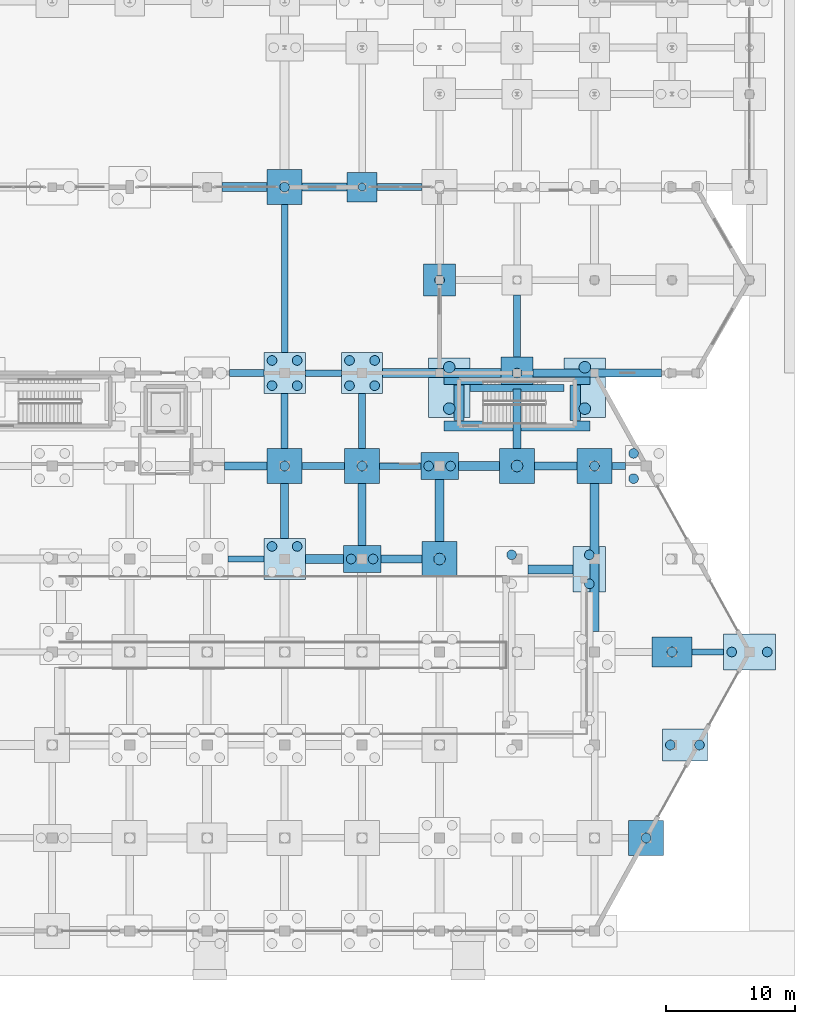
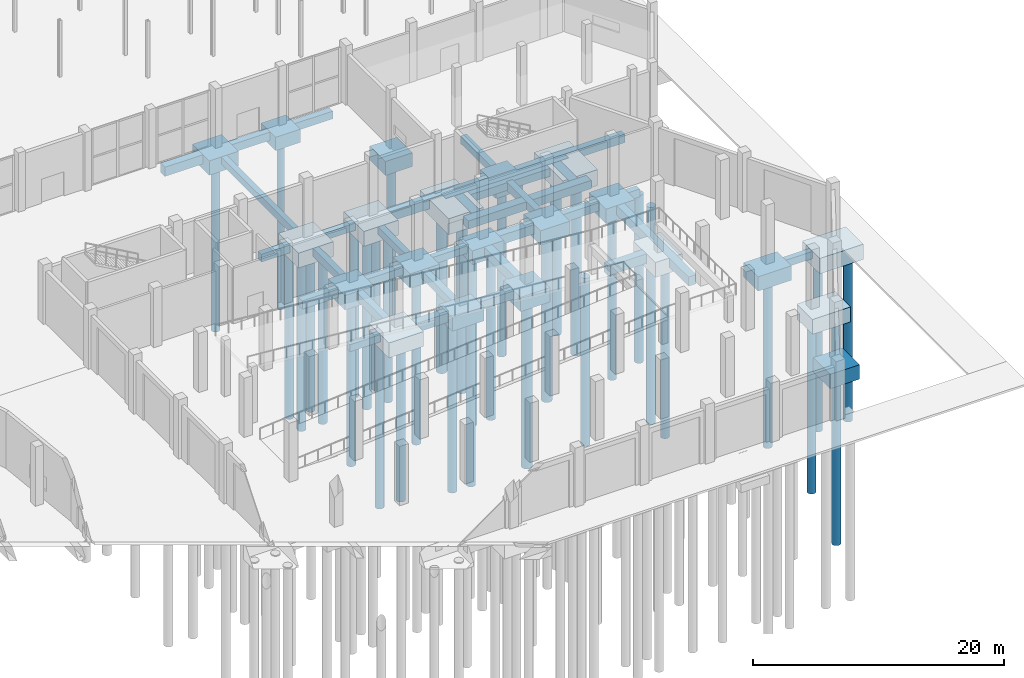
# One storey, part 10 of 103: 53 footings, 38 piles.
"""IFC4 building model written with IfcOpenShell, lengths in metres."""

from ifc_helpers import new_model, si_unit, direction, frame, origin, origin_2d, place, context, subcontext, project, spatial, rectangle, circle, extrude, material, material_profile, profile_set, type_object, element, save


model = new_model("IFC4")

# Units and contexts
model_context = context("Model", 3, precision=1e-05, world=origin(), true_north=direction((0.0, 1.0)))
body_context = subcontext(model_context, "Body", "Model", "MODEL_VIEW")
ifc_project = project(units=[si_unit("LENGTHUNIT", "METRE"), si_unit("AREAUNIT", "SQUARE_METRE"), si_unit("VOLUMEUNIT", "CUBIC_METRE"), si_unit("PLANEANGLEUNIT", "RADIAN"), si_unit("MASSUNIT", "GRAM", prefix="KILO")], contexts=[model_context])

# Site, building, storey
site_placement = place(None, origin())
site = spatial("IfcSite", under=ifc_project, at=site_placement, CompositionType="ELEMENT")
building_placement = place(site_placement, origin())
building = spatial("IfcBuilding", under=site, at=building_placement, Name="Dunvalen Ferry Terminal", CompositionType="ELEMENT")
storey_placement = place(building_placement, origin())
storey = spatial("IfcBuildingStorey", under=building, at=storey_placement, Name="L00", CompositionType="ELEMENT", Elevation=0.0)

# Footings
ifc_material = material(Name="Concrete C40/50", Category="concrete")
ifc_material_profile_1 = material_profile(ifc_material, rectangle(XDim=0.5, YDim=0.699951171875, at=origin_2d()), Name="Concrete C40/50")
ifc_profile_set_1 = profile_set([ifc_material_profile_1], Name="Concrete C40/50")
footing_type_1 = type_object("IfcFootingType", Name="STR-GB-500x700", PredefinedType="FOOTING_BEAM", material=ifc_profile_set_1)
footing_1_placement = place(storey_placement, frame((163.550048828125, 21.60009765625, -0.669921875), z_axis=(1.0, 0.0, 0.0), x_axis=(0.0, 1.0, 0.0)))
element("IfcFooting", 1, at=footing_1_placement, inside=storey, type_object=footing_type_1, Name="L00 Ground Beam X-163", PredefinedType="FOOTING_BEAM", context=body_context, shape_type="SweptSolid", body=[
    extrude(rectangle(XDim=0.5, YDim=0.699951171875, at=origin_2d()), origin(), (0.0, 0.0, 1.0), 2.449951171875),
])
footing_2_placement = place(storey_placement, frame((127.60009765625, 28.800048828125, -0.669921875), z_axis=(1.0, 0.0, 0.0), x_axis=(0.0, 1.0, 0.0)))
element("IfcFooting", 2, at=footing_2_placement, inside=storey, type_object=footing_type_1, Name="L00 Ground Beam X-167", PredefinedType="FOOTING_BEAM", context=body_context, shape_type="SweptSolid", body=[
    extrude(rectangle(XDim=0.5, YDim=0.699951171875, at=origin_2d()), origin(), (0.0, 0.0, 1.0), 2.7998046875),
])
footing_3_placement = place(storey_placement, frame((139.35009765625, 36.0, -0.669921875), z_axis=(1.0, 0.0, 0.0), x_axis=(0.0, 1.0, 0.0)))
element("IfcFooting", 3, at=footing_3_placement, inside=storey, type_object=footing_type_1, Name="L00 Ground Beam X-175", PredefinedType="FOOTING_BEAM", context=body_context, shape_type="SweptSolid", body=[
    extrude(rectangle(XDim=0.5, YDim=0.699951171875, at=origin_2d()), origin(), (0.0, 0.0, 1.0), 3.199951171875),
])
footing_4_placement = place(storey_placement, frame((133.60009765625, 43.199951171875, -0.669921875), z_axis=(1.0, 0.0, 0.0), x_axis=(0.0, 1.0, 0.0)))
element("IfcFooting", 4, at=footing_4_placement, inside=storey, type_object=footing_type_1, Name="L00 Ground Beam X-187", PredefinedType="FOOTING_BEAM", context=body_context, shape_type="SweptSolid", body=[
    extrude(rectangle(XDim=0.5, YDim=0.699951171875, at=origin_2d()), origin(), (0.0, 0.0, 1.0), 2.7998046875),
])
footing_5_placement = place(storey_placement, frame((132.0, 44.800048828125, -0.669921875), z_axis=(0.0, 1.0, 0.0), x_axis=(-1.0, 0.0, 0.0)))
element("IfcFooting", 5, at=footing_5_placement, inside=storey, type_object=footing_type_1, Name="L00 Ground Beam Y-483", PredefinedType="FOOTING_BEAM", context=body_context, shape_type="SweptSolid", body=[
    extrude(rectangle(XDim=0.5, YDim=0.699951171875, at=origin_2d()), origin(), (0.0, 0.0, 1.0), 11.449951171875),
])
ifc_material_profile_2 = material_profile(ifc_material, rectangle(XDim=0.550048828125, YDim=0.75, at=origin_2d()), Name="Concrete C40/50")
ifc_profile_set_2 = profile_set([ifc_material_profile_2], Name="Concrete C40/50")
footing_type_2 = type_object("IfcFootingType", Name="STR-GB-550x750", PredefinedType="FOOTING_BEAM", material=ifc_profile_set_2)
footing_6_placement = place(storey_placement, frame((133.35009765625, 36.0, -0.695068359375), z_axis=(1.0, 0.0, 0.0), x_axis=(0.0, 1.0, 0.0)))
element("IfcFooting", 6, at=footing_6_placement, inside=storey, type_object=footing_type_2, Name="L00 Ground Beam X-174", PredefinedType="FOOTING_BEAM", context=body_context, shape_type="SweptSolid", body=[
    extrude(rectangle(XDim=0.550048828125, YDim=0.75, at=origin_2d()), origin(), (0.0, 0.0, 1.0), 3.2998046875),
])
footing_7_placement = place(storey_placement, frame((157.35009765625, 36.0, -0.695068359375), z_axis=(1.0, 0.0, 0.0), x_axis=(0.0, 1.0, 0.0)))
element("IfcFooting", 7, at=footing_7_placement, inside=storey, type_object=footing_type_2, Name="L00 Ground Beam X-178", PredefinedType="FOOTING_BEAM", context=body_context, shape_type="SweptSolid", body=[
    extrude(rectangle(XDim=0.550048828125, YDim=0.75, at=origin_2d()), origin(), (0.0, 0.0, 1.0), 1.0498046875),
])
footing_8_placement = place(storey_placement, frame((146.35009765625, 42.050048828125, -0.695068359375), z_axis=(1.0, 0.0, 0.0), x_axis=(0.0, 1.0, 0.0)))
element("IfcFooting", 8, at=footing_8_placement, inside=storey, type_object=footing_type_2, Name="L00 Ground Beam X-182", PredefinedType="FOOTING_BEAM", context=body_context, shape_type="SweptSolid", body=[
    extrude(rectangle(XDim=0.550048828125, YDim=0.75, at=origin_2d()), origin(), (0.0, 0.0, 1.0), 7.2998046875),
])
footing_9_placement = place(storey_placement, frame((127.75, 43.199951171875, -0.695068359375), z_axis=(1.0, 0.0, 0.0), x_axis=(0.0, 1.0, 0.0)))
element("IfcFooting", 9, at=footing_9_placement, inside=storey, type_object=footing_type_2, Name="L00 Ground Beam X-186", PredefinedType="FOOTING_BEAM", context=body_context, shape_type="SweptSolid", body=[
    extrude(rectangle(XDim=0.550048828125, YDim=0.75, at=origin_2d()), origin(), (0.0, 0.0, 1.0), 2.64990234375),
])
footing_10_placement = place(storey_placement, frame((139.14990234375, 57.60009765625, -0.695068359375), z_axis=(1.0, 0.0, 0.0), x_axis=(0.0, 1.0, 0.0)))
element("IfcFooting", 10, at=footing_10_placement, inside=storey, type_object=footing_type_2, Name="L00 Ground Beam X-222", PredefinedType="FOOTING_BEAM", context=body_context, shape_type="SweptSolid", body=[
    extrude(rectangle(XDim=0.550048828125, YDim=0.75, at=origin_2d()), origin(), (0.0, 0.0, 1.0), 3.5),
])
for number, where, z_axis, x_axis, name in (
    (11, (132.0, 37.35009765625, -0.695068359375), (0.0, 1.0, 0.0), (-1.0, 0.0, 0.0), "L00 Ground Beam Y-482"),
    (12, (138.0, 37.35009765625, -0.695068359375), (0.0, 1.0, 0.0), (-1.0, 0.0, 0.0), "L00 Ground Beam Y-494"),
):
    element("IfcFooting", number, at=place(storey_placement, frame(where, z_axis=z_axis, x_axis=x_axis)), inside=storey, type_object=footing_type_2, Name=name, PredefinedType="FOOTING_BEAM", context=body_context, shape_type="SweptSolid", body=[
        extrude(rectangle(XDim=0.550048828125, YDim=0.75, at=origin_2d()), origin(), (0.0, 0.0, 1.0), 4.25),
    ])
footing_11_placement = place(storey_placement, frame((150.0, 44.449951171875, -0.695068359375), z_axis=(0.0, 1.0, 0.0), x_axis=(-1.0, 0.0, 0.0)))
element("IfcFooting", 13, at=footing_11_placement, inside=storey, type_object=footing_type_2, Name="L00 Ground Beam Y-514", PredefinedType="FOOTING_BEAM", context=body_context, shape_type="SweptSolid", body=[
    extrude(rectangle(XDim=0.550048828125, YDim=0.75, at=origin_2d()), origin(), (0.0, 0.0, 1.0), 4.800048828125),
])
ifc_material_profile_3 = material_profile(ifc_material, rectangle(XDim=0.60009765625, YDim=0.800048828125, at=origin_2d()), Name="Concrete C40/50")
ifc_profile_set_3 = profile_set([ifc_material_profile_3], Name="Concrete C40/50")
footing_type_3 = type_object("IfcFootingType", Name="STR-GB-600x800", PredefinedType="FOOTING_BEAM", material=ifc_profile_set_3)
footing_12_placement = place(storey_placement, frame((139.449951171875, 28.800048828125, -0.719970703125), z_axis=(1.0, 0.0, 0.0), x_axis=(0.0, 1.0, 0.0)))
element("IfcFooting", 14, at=footing_12_placement, inside=storey, type_object=footing_type_3, Name="L00 Ground Beam X-169", PredefinedType="FOOTING_BEAM", context=body_context, shape_type="SweptSolid", body=[
    extrude(rectangle(XDim=0.60009765625, YDim=0.800048828125, at=origin_2d()), origin(), (0.0, 0.0, 1.0), 3.199951171875),
])
for number, where, z_axis, x_axis, name in (
    (15, (127.35009765625, 36.0, -0.719970703125), (1.0, 0.0, 0.0), (0.0, 1.0, 0.0), "L00 Ground Beam X-173"),
    (16, (151.35009765625, 36.0, -0.719970703125), (1.0, 0.0, 0.0), (0.0, 1.0, 0.0), "L00 Ground Beam X-177"),
):
    element("IfcFooting", number, at=place(storey_placement, frame(where, z_axis=z_axis, x_axis=x_axis)), inside=storey, type_object=footing_type_3, Name=name, PredefinedType="FOOTING_BEAM", context=body_context, shape_type="SweptSolid", body=[
        extrude(rectangle(XDim=0.60009765625, YDim=0.800048828125, at=origin_2d()), origin(), (0.0, 0.0, 1.0), 3.2998046875),
    ])
footing_13_placement = place(storey_placement, frame((151.25, 43.199951171875, -0.719970703125), z_axis=(1.0, 0.0, 0.0), x_axis=(0.0, 1.0, 0.0)))
element("IfcFooting", 17, at=footing_13_placement, inside=storey, type_object=footing_type_3, Name="L00 Ground Beam X-189", PredefinedType="FOOTING_BEAM", context=body_context, shape_type="SweptSolid", body=[
    extrude(rectangle(XDim=0.60009765625, YDim=0.800048828125, at=origin_2d()), origin(), (0.0, 0.0, 1.0), 9.92138671875),
])
footing_14_placement = place(storey_placement, frame((133.35009765625, 57.60009765625, -0.719970703125), z_axis=(1.0, 0.0, 0.0), x_axis=(0.0, 1.0, 0.0)))
element("IfcFooting", 18, at=footing_14_placement, inside=storey, type_object=footing_type_3, Name="L00 Ground Beam X-221", PredefinedType="FOOTING_BEAM", context=body_context, shape_type="SweptSolid", body=[
    extrude(rectangle(XDim=0.60009765625, YDim=0.800048828125, at=origin_2d()), origin(), (0.0, 0.0, 1.0), 3.5),
])
footing_15_placement = place(storey_placement, frame((132.0, 30.39990234375, -0.719970703125), z_axis=(0.0, 1.0, 0.0), x_axis=(-1.0, 0.0, 0.0)))
element("IfcFooting", 19, at=footing_15_placement, inside=storey, type_object=footing_type_3, Name="L00 Ground Beam Y-481", PredefinedType="FOOTING_BEAM", context=body_context, shape_type="SweptSolid", body=[
    extrude(rectangle(XDim=0.60009765625, YDim=0.800048828125, at=origin_2d()), origin(), (0.0, 0.0, 1.0), 4.25),
])
footing_16_placement = place(storey_placement, frame((138.0, 29.85009765625, -0.719970703125), z_axis=(0.0, 1.0, 0.0), x_axis=(-1.0, 0.0, 0.0)))
element("IfcFooting", 20, at=footing_16_placement, inside=storey, type_object=footing_type_3, Name="L00 Ground Beam Y-493", PredefinedType="FOOTING_BEAM", context=body_context, shape_type="SweptSolid", body=[
    extrude(rectangle(XDim=0.60009765625, YDim=0.800048828125, at=origin_2d()), origin(), (0.0, 0.0, 1.0), 4.7998046875),
])
footing_17_placement = place(storey_placement, frame((150.0, 37.35009765625, -0.719970703125), z_axis=(0.0, 1.0, 0.0), x_axis=(-1.0, 0.0, 0.0)))
element("IfcFooting", 21, at=footing_17_placement, inside=storey, type_object=footing_type_3, Name="L00 Ground Beam Y-513", PredefinedType="FOOTING_BEAM", context=body_context, shape_type="SweptSolid", body=[
    extrude(rectangle(XDim=0.60009765625, YDim=0.800048828125, at=origin_2d()), origin(), (0.0, 0.0, 1.0), 4.599853515625),
])
ifc_material_profile_4 = material_profile(ifc_material, rectangle(XDim=0.699951171875, YDim=0.89990234375, at=origin_2d()), Name="Concrete C40/50")
ifc_profile_set_4 = profile_set([ifc_material_profile_4], Name="Concrete C40/50")
footing_type_4 = type_object("IfcFootingType", Name="STR-GB-700x900", PredefinedType="FOOTING_BEAM", material=ifc_profile_set_4)
footing_18_placement = place(storey_placement, frame((150.830078125, 28.0, -0.77001953125), z_axis=(1.0, 0.0, 0.0), x_axis=(0.0, 1.0, 0.0)))
element("IfcFooting", 22, at=footing_18_placement, inside=storey, type_object=footing_type_4, Name="L00 Ground Beam X-164", PredefinedType="FOOTING_BEAM", context=body_context, shape_type="SweptSolid", body=[
    extrude(rectangle(XDim=0.699951171875, YDim=0.89990234375, at=origin_2d()), origin(), (0.0, 0.0, 1.0), 3.52001953125),
])
footing_19_placement = place(storey_placement, frame((133.60009765625, 28.800048828125, -0.77001953125), z_axis=(1.0, 0.0, 0.0), x_axis=(0.0, 1.0, 0.0)))
element("IfcFooting", 23, at=footing_19_placement, inside=storey, type_object=footing_type_4, Name="L00 Ground Beam X-168", PredefinedType="FOOTING_BEAM", context=body_context, shape_type="SweptSolid", body=[
    extrude(rectangle(XDim=0.699951171875, YDim=0.89990234375, at=origin_2d()), origin(), (0.0, 0.0, 1.0), 2.949951171875),
])
footing_20_placement = place(storey_placement, frame((145.449951171875, 36.0, -0.77001953125), z_axis=(1.0, 0.0, 0.0), x_axis=(0.0, 1.0, 0.0)))
element("IfcFooting", 24, at=footing_20_placement, inside=storey, type_object=footing_type_4, Name="L00 Ground Beam X-176", PredefinedType="FOOTING_BEAM", context=body_context, shape_type="SweptSolid", body=[
    extrude(rectangle(XDim=0.699951171875, YDim=0.89990234375, at=origin_2d()), origin(), (0.0, 0.0, 1.0), 3.199951171875),
])
footing_21_placement = place(storey_placement, frame((139.60009765625, 43.199951171875, -0.77001953125), z_axis=(1.0, 0.0, 0.0), x_axis=(0.0, 1.0, 0.0)))
element("IfcFooting", 25, at=footing_21_placement, inside=storey, type_object=footing_type_4, Name="L00 Ground Beam X-188", PredefinedType="FOOTING_BEAM", context=body_context, shape_type="SweptSolid", body=[
    extrude(rectangle(XDim=0.699951171875, YDim=0.89990234375, at=origin_2d()), origin(), (0.0, 0.0, 1.0), 9.14990234375),
])
footing_22_placement = place(storey_placement, frame((127.14990234375, 57.60009765625, -0.77001953125), z_axis=(1.0, 0.0, 0.0), x_axis=(0.0, 1.0, 0.0)))
element("IfcFooting", 26, at=footing_22_placement, inside=storey, type_object=footing_type_4, Name="L00 Ground Beam X-220", PredefinedType="FOOTING_BEAM", context=body_context, shape_type="SweptSolid", body=[
    extrude(rectangle(XDim=0.699951171875, YDim=0.89990234375, at=origin_2d()), origin(), (0.0, 0.0, 1.0), 3.5),
])
footing_23_placement = place(storey_placement, frame((144.0, 30.14990234375, -0.77001953125), z_axis=(0.0, 1.0, 0.0), x_axis=(-1.0, 0.0, 0.0)))
element("IfcFooting", 27, at=footing_23_placement, inside=storey, type_object=footing_type_4, Name="L00 Ground Beam Y-504", PredefinedType="FOOTING_BEAM", context=body_context, shape_type="SweptSolid", body=[
    extrude(rectangle(XDim=0.699951171875, YDim=0.89990234375, at=origin_2d()), origin(), (0.0, 0.0, 1.0), 4.800048828125),
])
footing_24_placement = place(storey_placement, frame((156.0, 23.199951171875, -0.77001953125), z_axis=(0.0, 1.0, 0.0), x_axis=(-1.0, 0.0, 0.0)))
element("IfcFooting", 28, at=footing_24_placement, inside=storey, type_object=footing_type_4, Name="L00 Ground Beam Y-524", PredefinedType="FOOTING_BEAM", context=body_context, shape_type="SweptSolid", body=[
    extrude(rectangle(XDim=0.699951171875, YDim=0.89990234375, at=origin_2d()), origin(), (0.0, 0.0, 1.0), 11.449951171875),
])
footing_type_5 = type_object("IfcFootingType", Name="STR-PC-04", PredefinedType="PILE_CAP", material=ifc_material)
footing_25_placement = place(storey_placement, frame((138.0, 57.60009765625, -1.6201171875), z_axis=(0.0, 0.0, 1.0), x_axis=(1.0, 0.0, 0.0)))
element("IfcFooting", 29, at=footing_25_placement, inside=storey, type_object=footing_type_5, Name="L00 Pile Cap 211", PredefinedType="PILE_CAP", context=body_context, shape_type="SweptSolid", body=[
    extrude(rectangle(XDim=2.300048828125, YDim=2.300048828125, at=origin_2d()), origin(), (0.0, 0.0, 1.0), 1.300048828125),
])
footing_type_6 = type_object("IfcFootingType", Name="STR-PC-05", PredefinedType="PILE_CAP", material=ifc_material)
for number, where, z_axis, x_axis, name in (
    (30, (144.0, 50.39990234375, -1.670166015625), (0.0, 0.0, 1.0), (1.0, 0.0, 0.0), "L00 Pile Cap 229"),
    (31, (150.0, 43.199951171875, -1.670166015625), (0.0, 0.0, 1.0), (1.0, 0.0, 0.0), "L00 Pile Cap 244"),
):
    element("IfcFooting", number, at=place(storey_placement, frame(where, z_axis=z_axis, x_axis=x_axis)), inside=storey, type_object=footing_type_6, Name=name, PredefinedType="PILE_CAP", context=body_context, shape_type="SweptSolid", body=[
        extrude(rectangle(XDim=2.5, YDim=2.5, at=origin_2d()), origin(), (0.0, 0.0, 1.0), 1.35009765625),
    ])
footing_type_7 = type_object("IfcFootingType", Name="STR-PC-06", PredefinedType="PILE_CAP", material=ifc_material)
for number, where, z_axis, x_axis, name in (
    (32, (132.0, 36.0, -1.719970703125), (0.0, 0.0, 1.0), (1.0, 0.0, 0.0), "L00 Pile Cap 195"),
    (33, (132.0, 57.60009765625, -1.719970703125), (0.0, 0.0, 1.0), (1.0, 0.0, 0.0), "L00 Pile Cap 197"),
    (34, (138.0, 36.0, -1.719970703125), (0.0, 0.0, 1.0), (1.0, 0.0, 0.0), "L00 Pile Cap 209"),
    (35, (144.0, 28.800048828125, -1.719970703125), (0.0, 0.0, 1.0), (1.0, 0.0, 0.0), "L00 Pile Cap 226"),
    (36, (150.0, 36.0, -1.719970703125), (0.0, 0.0, 1.0), (1.0, 0.0, 0.0), "L00 Pile Cap 243"),
    (37, (156.0, 36.0, -1.719970703125), (0.0, 0.0, 1.0), (1.0, 0.0, 0.0), "L00 Pile Cap 259"),
    (38, (160.0, 7.199951171875, -1.719970703125), (0.0, 0.0, 1.0), (1.0, 0.0, 0.0), "L00 Pile Cap 267"),
):
    element("IfcFooting", number, at=place(storey_placement, frame(where, z_axis=z_axis, x_axis=x_axis)), inside=storey, type_object=footing_type_7, Name=name, PredefinedType="PILE_CAP", context=body_context, shape_type="SweptSolid", body=[
        extrude(rectangle(XDim=2.699951171875, YDim=2.699951171875, at=origin_2d()), origin(), (0.0, 0.0, 1.0), 1.39990234375),
    ])
footing_type_8 = type_object("IfcFootingType", Name="STR-PC-07", PredefinedType="PILE_CAP", material=ifc_material)
for number, where, z_axis, x_axis, name in (
    (39, (138.0, 28.800048828125, -1.670166015625), (0.0, 0.0, 1.0), (1.0, 0.0, 0.0), "L00 Pile Cap 208"),
    (40, (144.0, 36.0, -1.670166015625), (0.0, 0.0, 1.0), (1.0, 0.0, 0.0), "L00 Pile Cap 227"),
):
    element("IfcFooting", number, at=place(storey_placement, frame(where, z_axis=z_axis, x_axis=x_axis)), inside=storey, type_object=footing_type_8, Name=name, PredefinedType="PILE_CAP", context=body_context, shape_type="SweptSolid", body=[
        extrude(rectangle(XDim=2.89990234375, YDim=2.10009765625, at=origin_2d()), origin(), (0.0, 0.0, 1.0), 1.35009765625),
    ])
footing_type_9 = type_object("IfcFootingType", Name="STR-PC-08", PredefinedType="PILE_CAP", material=ifc_material)
footing_26_placement = place(storey_placement, frame((162.0, 21.60009765625, -1.719970703125), z_axis=(0.0, 0.0, 1.0), x_axis=(1.0, 0.0, 0.0)))
element("IfcFooting", 41, at=footing_26_placement, inside=storey, type_object=footing_type_9, Name="L00 Pile Cap 271", PredefinedType="PILE_CAP", context=body_context, shape_type="SweptSolid", body=[
    extrude(rectangle(XDim=3.10009765625, YDim=2.300048828125, at=origin_2d()), origin(), (0.0, 0.0, 1.0), 1.39990234375),
])
footing_type_10 = type_object("IfcFootingType", Name="STR-PC-09", PredefinedType="PILE_CAP", material=ifc_material)
for number, where, z_axis, x_axis, name in (
    (42, (132.0, 28.800048828125, -1.77001953125), (0.0, 0.0, 1.0), (1.0, 0.0, 0.0), "L00 Pile Cap 194"),
    (43, (132.0, 43.199951171875, -1.77001953125), (0.0, 0.0, 1.0), (1.0, 0.0, 0.0), "L00 Pile Cap 196"),
    (44, (138.0, 43.199951171875, -1.77001953125), (0.0, 0.0, 1.0), (1.0, 0.0, 0.0), "L00 Pile Cap 210"),
):
    element("IfcFooting", number, at=place(storey_placement, frame(where, z_axis=z_axis, x_axis=x_axis)), inside=storey, type_object=footing_type_10, Name=name, PredefinedType="PILE_CAP", context=body_context, shape_type="SweptSolid", body=[
        extrude(rectangle(XDim=3.199951171875, YDim=3.199951171875, at=origin_2d()), origin(), (0.0, 0.0, 1.0), 1.449951171875),
    ])
footing_type_11 = type_object("IfcFootingType", Name="STR-PC-10", PredefinedType="PILE_CAP", material=ifc_material)
for number, where, z_axis, x_axis, name in (
    (45, (155.60009765625, 28.0, -1.77001953125), (0.0, 0.0, 1.0), (0.0, 1.0, 0.0), "L00 Pile Cap 255"),
    (46, (163.0, 14.39990234375, -1.77001953125), (0.0, 0.0, 1.0), (1.0, 0.0, 0.0), "L00 Pile Cap 270"),
):
    element("IfcFooting", number, at=place(storey_placement, frame(where, z_axis=z_axis, x_axis=x_axis)), inside=storey, type_object=footing_type_11, Name=name, PredefinedType="PILE_CAP", context=body_context, shape_type="SweptSolid", body=[
        extrude(rectangle(XDim=3.5, YDim=2.5, at=origin_2d()), origin(), (0.0, 0.0, 1.0), 1.449951171875),
    ])
footing_type_12 = type_object("IfcFootingType", Name="STR-PC-12", PredefinedType="PILE_CAP", material=ifc_material)
footing_27_placement = place(storey_placement, frame((168.0, 21.60009765625, -1.820068359375), z_axis=(0.0, 0.0, 1.0), x_axis=(1.0, 0.0, 0.0)))
element("IfcFooting", 47, at=footing_27_placement, inside=storey, type_object=footing_type_12, Name="L00 Pile Cap 281", PredefinedType="PILE_CAP", context=body_context, shape_type="SweptSolid", body=[
    extrude(rectangle(XDim=4.0, YDim=2.800048828125, at=origin_2d()), origin(), (0.0, 0.0, 1.0), 1.5),
])
footing_type_13 = type_object("IfcFootingType", Name="STR-PC-14", PredefinedType="PILE_CAP", material=ifc_material)
for number, where, z_axis, x_axis, name in (
    (48, (144.75, 42.050048828125, -1.8701171875), (0.0, 0.0, 1.0), (0.0, 1.0, 0.0), "L00 Pile Cap 228"),
    (49, (155.25, 42.050048828125, -1.8701171875), (0.0, 0.0, 1.0), (0.0, 1.0, 0.0), "L00 Pile Cap 253"),
):
    element("IfcFooting", number, at=place(storey_placement, frame(where, z_axis=z_axis, x_axis=x_axis)), inside=storey, type_object=footing_type_13, Name=name, PredefinedType="PILE_CAP", context=body_context, shape_type="SweptSolid", body=[
        extrude(rectangle(XDim=4.60009765625, YDim=3.199951171875, at=origin_2d()), origin(), (0.0, 0.0, 1.0), 1.550048828125),
    ])

# Piles
ifc_material_profile_5 = material_profile(ifc_material, circle(Radius=0.300048828125, at=origin_2d()), Name="Concrete C40/50")
ifc_profile_set_5 = profile_set([ifc_material_profile_5], Name="Concrete C40/50")
pile_type_1 = type_object("IfcPileType", Name="STR-PILE-P600", PredefinedType="BORED", material=ifc_profile_set_5)
pile_1_placement = place(storey_placement, frame((138.0, 57.60009765625, -1.52001953125), z_axis=(0.0, 0.0, -1.0), x_axis=(1.0, 0.0, 0.0)))
element("IfcPile", 50, at=pile_1_placement, inside=storey, type_object=pile_type_1, Name="L00 Bored Pile 211.1", PredefinedType="BORED", context=body_context, shape_type="SweptSolid", body=[
    extrude(circle(Radius=0.300048828125, at=origin_2d()), origin(), (0.0, 0.0, 1.0), 16.47998046875),
])
ifc_material_profile_6 = material_profile(ifc_material, circle(Radius=0.375, at=origin_2d()), Name="Concrete C40/50")
ifc_profile_set_6 = profile_set([ifc_material_profile_6], Name="Concrete C40/50")
pile_type_2 = type_object("IfcPileType", Name="STR-PILE-P750", PredefinedType="BORED", material=ifc_profile_set_6)
for number, where, z_axis, x_axis, name in (
    (51, (131.02490234375, 29.77490234375, -1.669921875), (0.0, 0.0, -1.0), (1.0, 0.0, 0.0), "L00 Bored Pile 194.3"),
    (52, (132.97509765625, 29.77490234375, -1.669921875), (0.0, 0.0, -1.0), (1.0, 0.0, 0.0), "L00 Bored Pile 194.4"),
):
    element("IfcPile", number, at=place(storey_placement, frame(where, z_axis=z_axis, x_axis=x_axis)), inside=storey, type_object=pile_type_2, Name=name, PredefinedType="BORED", context=body_context, shape_type="SweptSolid", body=[
        extrude(circle(Radius=0.375, at=origin_2d()), origin(), (0.0, 0.0, 1.0), 16.330078125),
    ])
pile_2_placement = place(storey_placement, frame((132.0, 36.0, -1.6201171875), z_axis=(0.0, 0.0, -1.0), x_axis=(1.0, 0.0, 0.0)))
element("IfcPile", 53, at=pile_2_placement, inside=storey, type_object=pile_type_2, Name="L00 Bored Pile 195.1", PredefinedType="BORED", context=body_context, shape_type="SweptSolid", body=[
    extrude(circle(Radius=0.375, at=origin_2d()), origin(), (0.0, 0.0, 1.0), 16.3798828125),
])
for number, where, z_axis, x_axis, name in (
    (54, (131.02490234375, 42.22509765625, -1.669921875), (0.0, 0.0, -1.0), (1.0, 0.0, 0.0), "L00 Bored Pile 196.1"),
    (55, (132.97509765625, 42.22509765625, -1.669921875), (0.0, 0.0, -1.0), (1.0, 0.0, 0.0), "L00 Bored Pile 196.2"),
    (56, (131.02490234375, 44.175048828125, -1.669921875), (0.0, 0.0, -1.0), (1.0, 0.0, 0.0), "L00 Bored Pile 196.3"),
    (57, (132.97509765625, 44.175048828125, -1.669921875), (0.0, 0.0, -1.0), (1.0, 0.0, 0.0), "L00 Bored Pile 196.4"),
):
    element("IfcPile", number, at=place(storey_placement, frame(where, z_axis=z_axis, x_axis=x_axis)), inside=storey, type_object=pile_type_2, Name=name, PredefinedType="BORED", context=body_context, shape_type="SweptSolid", body=[
        extrude(circle(Radius=0.375, at=origin_2d()), origin(), (0.0, 0.0, 1.0), 16.330078125),
    ])
pile_3_placement = place(storey_placement, frame((132.0, 57.60009765625, -1.6201171875), z_axis=(0.0, 0.0, -1.0), x_axis=(1.0, 0.0, 0.0)))
element("IfcPile", 58, at=pile_3_placement, inside=storey, type_object=pile_type_2, Name="L00 Bored Pile 197.1", PredefinedType="BORED", context=body_context, shape_type="SweptSolid", body=[
    extrude(circle(Radius=0.375, at=origin_2d()), origin(), (0.0, 0.0, 1.0), 16.3798828125),
])
for number, where, z_axis, x_axis, name in (
    (59, (137.14990234375, 28.800048828125, -1.570068359375), (0.0, 0.0, -1.0), (1.0, 0.0, 0.0), "L00 Bored Pile 208.1"),
    (60, (138.85009765625, 28.800048828125, -1.570068359375), (0.0, 0.0, -1.0), (1.0, 0.0, 0.0), "L00 Bored Pile 208.2"),
):
    element("IfcPile", number, at=place(storey_placement, frame(where, z_axis=z_axis, x_axis=x_axis)), inside=storey, type_object=pile_type_2, Name=name, PredefinedType="BORED", context=body_context, shape_type="SweptSolid", body=[
        extrude(circle(Radius=0.375, at=origin_2d()), origin(), (0.0, 0.0, 1.0), 16.429931640625),
    ])
pile_4_placement = place(storey_placement, frame((138.0, 36.0, -1.6201171875), z_axis=(0.0, 0.0, -1.0), x_axis=(1.0, 0.0, 0.0)))
element("IfcPile", 61, at=pile_4_placement, inside=storey, type_object=pile_type_2, Name="L00 Bored Pile 209.1", PredefinedType="BORED", context=body_context, shape_type="SweptSolid", body=[
    extrude(circle(Radius=0.375, at=origin_2d()), origin(), (0.0, 0.0, 1.0), 16.3798828125),
])
for number, where, z_axis, x_axis, name in (
    (62, (137.02490234375, 42.22509765625, -1.669921875), (0.0, 0.0, -1.0), (1.0, 0.0, 0.0), "L00 Bored Pile 210.1"),
    (63, (138.97509765625, 42.22509765625, -1.669921875), (0.0, 0.0, -1.0), (1.0, 0.0, 0.0), "L00 Bored Pile 210.2"),
    (64, (137.02490234375, 44.175048828125, -1.669921875), (0.0, 0.0, -1.0), (1.0, 0.0, 0.0), "L00 Bored Pile 210.3"),
    (65, (138.97509765625, 44.175048828125, -1.669921875), (0.0, 0.0, -1.0), (1.0, 0.0, 0.0), "L00 Bored Pile 210.4"),
):
    element("IfcPile", number, at=place(storey_placement, frame(where, z_axis=z_axis, x_axis=x_axis)), inside=storey, type_object=pile_type_2, Name=name, PredefinedType="BORED", context=body_context, shape_type="SweptSolid", body=[
        extrude(circle(Radius=0.375, at=origin_2d()), origin(), (0.0, 0.0, 1.0), 16.330078125),
    ])
for number, where, z_axis, x_axis, name in (
    (66, (143.14990234375, 36.0, -1.570068359375), (0.0, 0.0, -1.0), (1.0, 0.0, 0.0), "L00 Bored Pile 227.1"),
    (67, (144.85009765625, 36.0, -1.570068359375), (0.0, 0.0, -1.0), (1.0, 0.0, 0.0), "L00 Bored Pile 227.2"),
    (68, (144.0, 50.39990234375, -1.570068359375), (0.0, 0.0, -1.0), (1.0, 0.0, 0.0), "L00 Bored Pile 229.1"),
):
    element("IfcPile", number, at=place(storey_placement, frame(where, z_axis=z_axis, x_axis=x_axis)), inside=storey, type_object=pile_type_2, Name=name, PredefinedType="BORED", context=body_context, shape_type="SweptSolid", body=[
        extrude(circle(Radius=0.375, at=origin_2d()), origin(), (0.0, 0.0, 1.0), 16.429931640625),
    ])
pile_5_placement = place(storey_placement, frame((149.580078125, 29.125, -1.669921875), z_axis=(0.0, 0.0, -1.0), x_axis=(1.0, 0.0, 0.0)))
element("IfcPile", 69, at=pile_5_placement, inside=storey, type_object=pile_type_2, Name="L00 Bored Pile 239.2", PredefinedType="BORED", context=body_context, shape_type="SweptSolid", body=[
    extrude(circle(Radius=0.375, at=origin_2d()), origin(), (0.0, 0.0, 1.0), 16.330078125),
])
pile_6_placement = place(storey_placement, frame((150.0, 43.199951171875, -1.570068359375), z_axis=(0.0, 0.0, -1.0), x_axis=(1.0, 0.0, 0.0)))
element("IfcPile", 70, at=pile_6_placement, inside=storey, type_object=pile_type_2, Name="L00 Bored Pile 244.1", PredefinedType="BORED", context=body_context, shape_type="SweptSolid", body=[
    extrude(circle(Radius=0.375, at=origin_2d()), origin(), (0.0, 0.0, 1.0), 16.429931640625),
])
for number, where, z_axis, x_axis, name in (
    (71, (155.60009765625, 26.875, -1.669921875), (0.0, 0.0, -1.0), (1.0, 0.0, 0.0), "L00 Bored Pile 255.1"),
    (72, (155.60009765625, 29.125, -1.669921875), (0.0, 0.0, -1.0), (1.0, 0.0, 0.0), "L00 Bored Pile 255.2"),
):
    element("IfcPile", number, at=place(storey_placement, frame(where, z_axis=z_axis, x_axis=x_axis)), inside=storey, type_object=pile_type_2, Name=name, PredefinedType="BORED", context=body_context, shape_type="SweptSolid", body=[
        extrude(circle(Radius=0.375, at=origin_2d()), origin(), (0.0, 0.0, 1.0), 16.330078125),
    ])
for number, where, z_axis, x_axis, name in (
    (73, (156.0, 36.0, -1.6201171875), (0.0, 0.0, -1.0), (1.0, 0.0, 0.0), "L00 Bored Pile 259.1"),
    (74, (160.0, 7.199951171875, -1.6201171875), (0.0, 0.0, -1.0), (1.0, 0.0, 0.0), "L00 Bored Pile 267.1"),
):
    element("IfcPile", number, at=place(storey_placement, frame(where, z_axis=z_axis, x_axis=x_axis)), inside=storey, type_object=pile_type_2, Name=name, PredefinedType="BORED", context=body_context, shape_type="SweptSolid", body=[
        extrude(circle(Radius=0.375, at=origin_2d()), origin(), (0.0, 0.0, 1.0), 16.3798828125),
    ])
for number, where, z_axis, x_axis, name in (
    (75, (159.02490234375, 35.02490234375, -1.669921875), (0.0, 0.0, -1.0), (1.0, 0.0, 0.0), "L00 Bored Pile 268.1"),
    (76, (159.02490234375, 36.97509765625, -1.669921875), (0.0, 0.0, -1.0), (1.0, 0.0, 0.0), "L00 Bored Pile 268.3"),
    (77, (161.875, 14.39990234375, -1.669921875), (0.0, 0.0, -1.0), (1.0, 0.0, 0.0), "L00 Bored Pile 270.1"),
    (78, (164.125, 14.39990234375, -1.669921875), (0.0, 0.0, -1.0), (1.0, 0.0, 0.0), "L00 Bored Pile 270.2"),
):
    element("IfcPile", number, at=place(storey_placement, frame(where, z_axis=z_axis, x_axis=x_axis)), inside=storey, type_object=pile_type_2, Name=name, PredefinedType="BORED", context=body_context, shape_type="SweptSolid", body=[
        extrude(circle(Radius=0.375, at=origin_2d()), origin(), (0.0, 0.0, 1.0), 16.330078125),
    ])
pile_7_placement = place(storey_placement, frame((162.0, 21.60009765625, -1.6201171875), z_axis=(0.0, 0.0, -1.0), x_axis=(1.0, 0.0, 0.0)))
element("IfcPile", 79, at=pile_7_placement, inside=storey, type_object=pile_type_2, Name="L00 Bored Pile 271.1", PredefinedType="BORED", context=body_context, shape_type="SweptSolid", body=[
    extrude(circle(Radius=0.375, at=origin_2d()), origin(), (0.0, 0.0, 1.0), 16.3798828125),
])
for number, where, z_axis, x_axis, name in (
    (80, (166.625, 21.60009765625, -1.719970703125), (0.0, 0.0, -1.0), (1.0, 0.0, 0.0), "L00 Bored Pile 281.1"),
    (81, (169.375, 21.60009765625, -1.719970703125), (0.0, 0.0, -1.0), (1.0, 0.0, 0.0), "L00 Bored Pile 281.2"),
):
    element("IfcPile", number, at=place(storey_placement, frame(where, z_axis=z_axis, x_axis=x_axis)), inside=storey, type_object=pile_type_2, Name=name, PredefinedType="BORED", context=body_context, shape_type="SweptSolid", body=[
        extrude(circle(Radius=0.375, at=origin_2d()), origin(), (0.0, 0.0, 1.0), 16.280029296875),
    ])
ifc_material_profile_7 = material_profile(ifc_material, circle(Radius=0.449951171875, at=origin_2d()), Name="Concrete C40/50")
ifc_profile_set_7 = profile_set([ifc_material_profile_7], Name="Concrete C40/50")
pile_type_3 = type_object("IfcPileType", Name="STR-PILE-P900", PredefinedType="BORED", material=ifc_profile_set_7)
pile_8_placement = place(storey_placement, frame((144.0, 28.800048828125, -1.6201171875), z_axis=(0.0, 0.0, -1.0), x_axis=(1.0, 0.0, 0.0)))
element("IfcPile", 82, at=pile_8_placement, inside=storey, type_object=pile_type_3, Name="L00 Bored Pile 226.1", PredefinedType="BORED", context=body_context, shape_type="SweptSolid", body=[
    extrude(circle(Radius=0.449951171875, at=origin_2d()), origin(), (0.0, 0.0, 1.0), 16.3798828125),
])
for number, where, z_axis, x_axis, name in (
    (83, (144.75, 40.449951171875, -1.77001953125), (0.0, 0.0, -1.0), (1.0, 0.0, 0.0), "L00 Bored Pile 228.1"),
    (84, (144.75, 43.64990234375, -1.77001953125), (0.0, 0.0, -1.0), (1.0, 0.0, 0.0), "L00 Bored Pile 228.2"),
):
    element("IfcPile", number, at=place(storey_placement, frame(where, z_axis=z_axis, x_axis=x_axis)), inside=storey, type_object=pile_type_3, Name=name, PredefinedType="BORED", context=body_context, shape_type="SweptSolid", body=[
        extrude(circle(Radius=0.449951171875, at=origin_2d()), origin(), (0.0, 0.0, 1.0), 16.22998046875),
    ])
pile_9_placement = place(storey_placement, frame((150.0, 36.0, -1.6201171875), z_axis=(0.0, 0.0, -1.0), x_axis=(1.0, 0.0, 0.0)))
element("IfcPile", 85, at=pile_9_placement, inside=storey, type_object=pile_type_3, Name="L00 Bored Pile 243.1", PredefinedType="BORED", context=body_context, shape_type="SweptSolid", body=[
    extrude(circle(Radius=0.449951171875, at=origin_2d()), origin(), (0.0, 0.0, 1.0), 16.3798828125),
])
for number, where, z_axis, x_axis, name in (
    (86, (155.25, 40.449951171875, -1.77001953125), (0.0, 0.0, -1.0), (1.0, 0.0, 0.0), "L00 Bored Pile 253.1"),
    (87, (155.25, 43.64990234375, -1.77001953125), (0.0, 0.0, -1.0), (1.0, 0.0, 0.0), "L00 Bored Pile 253.2"),
):
    element("IfcPile", number, at=place(storey_placement, frame(where, z_axis=z_axis, x_axis=x_axis)), inside=storey, type_object=pile_type_3, Name=name, PredefinedType="BORED", context=body_context, shape_type="SweptSolid", body=[
        extrude(circle(Radius=0.449951171875, at=origin_2d()), origin(), (0.0, 0.0, 1.0), 16.22998046875),
    ])

# Footings
ifc_material_profile_8 = material_profile(ifc_material, rectangle(XDim=0.800048828125, YDim=0.800048828125, at=origin_2d()), Name="Concrete C40/50")
ifc_profile_set_8 = profile_set([ifc_material_profile_8], Name="Concrete C40/50")
footing_type_14 = type_object("IfcFootingType", Name="STR-SF-800x800", PredefinedType="STRIP_FOOTING", material=ifc_profile_set_8)
for number, where, z_axis, x_axis, name in (
    (88, (145.5, 39.510009765625, -0.719970703125), (0.0, 1.0, 0.0), (-1.0, 0.0, 0.0), "L00 ST6 Core West Strip Footing"),
    (89, (154.5, 39.510009765625, -0.719970703125), (0.0, 1.0, 0.0), (-1.0, 0.0, 0.0), "L00 ST6 Core East Strip Footing"),
):
    element("IfcFooting", number, at=place(storey_placement, frame(where, z_axis=z_axis, x_axis=x_axis)), inside=storey, type_object=footing_type_14, Name=name, PredefinedType="STRIP_FOOTING", context=body_context, shape_type="SweptSolid", body=[
        extrude(rectangle(XDim=0.800048828125, YDim=0.800048828125, at=origin_2d()), origin(), (0.0, 0.0, 1.0), 2.780029296875),
    ])
for number, where, z_axis, x_axis, name in (
    (90, (144.35009765625, 42.699951171875, -0.719970703125), (1.0, 0.0, 0.0), (0.0, 1.0, 0.0), "L00 ST6 Core North Strip Footing"),
    (91, (144.35009765625, 39.10009765625, -0.719970703125), (1.0, 0.0, 0.0), (0.0, 1.0, 0.0), "L00 ST6 Core South Strip Footing"),
):
    element("IfcFooting", number, at=place(storey_placement, frame(where, z_axis=z_axis, x_axis=x_axis)), inside=storey, type_object=footing_type_14, Name=name, PredefinedType="STRIP_FOOTING", context=body_context, shape_type="SweptSolid", body=[
        extrude(rectangle(XDim=0.800048828125, YDim=0.800048828125, at=origin_2d()), origin(), (0.0, 0.0, 1.0), 11.2998046875),
    ])

save(model, "model.ifc")
